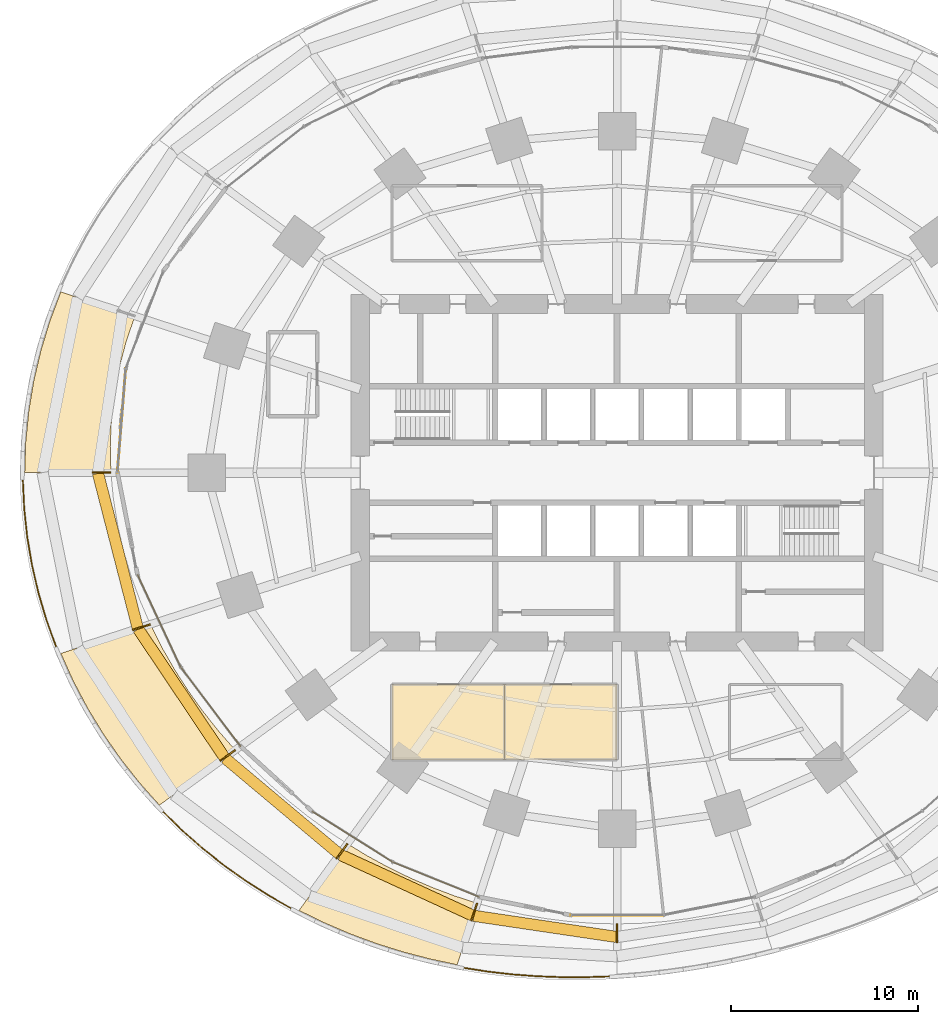
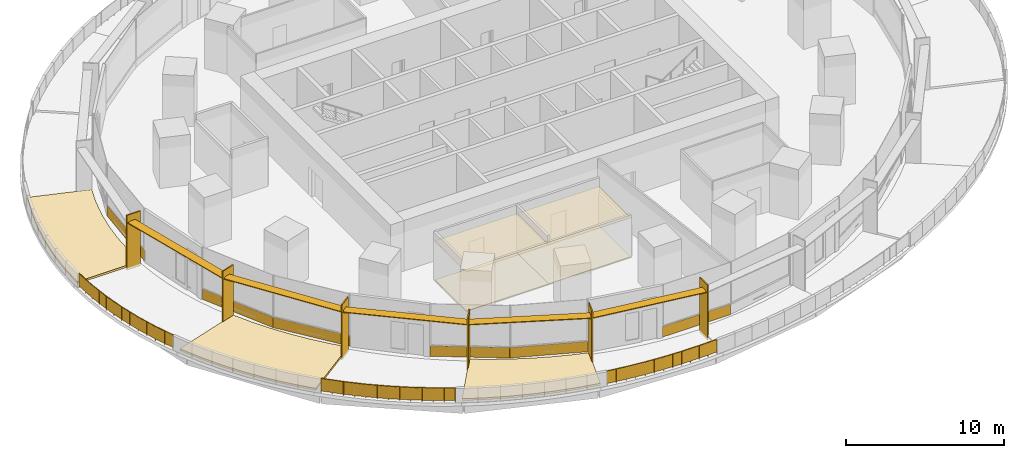
# One storey, part 17 of 20: 13 coverings, 11 shading devices, 3 railings.
"""IFC4 building model written with IfcOpenShell, lengths in metres."""

from ifc_helpers import new_model, si_unit, direction, frame, origin, origin_2d, place, context, subcontext, project, spatial, polyline, rectangle, circle, outline, extrude, material, layer, layer_set, type_object, element, save


model = new_model("IFC4")

# Units and contexts
model_context = context("Model", 3, precision=1e-05, world=origin(), true_north=direction((0.0, 1.0)))
body_context = subcontext(model_context, "Body", "Model", "MODEL_VIEW")
ifc_project = project(units=[si_unit("LENGTHUNIT", "METRE"), si_unit("AREAUNIT", "SQUARE_METRE"), si_unit("VOLUMEUNIT", "CUBIC_METRE"), si_unit("PLANEANGLEUNIT", "RADIAN"), si_unit("MASSUNIT", "GRAM", prefix="KILO")], contexts=[model_context])

# Site, building, storey
site_placement = place(None, origin())
site = spatial("IfcSite", under=ifc_project, at=site_placement, CompositionType="ELEMENT")
building_placement = place(site_placement, origin())
building = spatial("IfcBuilding", under=site, at=building_placement, Name="Marramba Exchange Tower", CompositionType="ELEMENT")
storey_placement = place(building_placement, frame((0.0, 0.0, 19.60009765625)))
storey = spatial("IfcBuildingStorey", under=building, at=storey_placement, Name="L04", CompositionType="ELEMENT", Elevation=19.60009765625)

# Shading devices
ifc_material_1 = material(Name="Aluminium blade, timber-look bronze finish", Category="wood")
ifc_layer_1 = layer(ifc_material_1, 0.080078125)
ifc_layer_set_1 = layer_set([ifc_layer_1], Name="Floor-edge blade 1000x80")
shading_device_type_1 = type_object("IfcShadingDeviceType", Name="Floor-edge blade 1000x80", PredefinedType="USERDEFINED", material=ifc_layer_set_1)
for number, where, z_axis, x_axis, name in (
    (1, (-27.5, 0.0, -0.2001953125), (0.0, 0.0, 1.0), (-1.0, 0.0, 0.0), "Floor-edge blade FB1 L04 TC11"),
    (2, (-25.3740234375, -8.24462890625, -0.2001953125), (0.0, 0.0, 1.0), (-0.951056516295, -0.309016994375, 0.0), "Floor-edge blade FB1 L04 TC12"),
    (3, (-20.773193359375, -15.092529296875, -0.2001953125), (0.0, 0.0, 1.0), (-0.809016994375, -0.587785252292, 0.0), "Floor-edge blade FB1 L04 TC13"),
    (4, (-14.6787109375, -20.20361328125, -0.2001953125), (0.0, 0.0, 1.0), (-0.587785252292, -0.809016994375, 0.0), "Floor-edge blade FB1 L04 TC14"),
    (5, (-7.61767578125, -23.444580078125, -0.2001953125), (0.0, 0.0, 1.0), (-0.309016994375, -0.951056516295, 0.0), "Floor-edge blade FB1 L04 TC15"),
    (6, (0.0, -24.572021484375, -0.2001953125), (0.0, 0.0, 1.0), (0.0, -1.0, 0.0), "Floor-edge blade FB1 L04 TC16"),
):
    element("IfcShadingDevice", number, at=place(storey_placement, frame(where, z_axis=z_axis, x_axis=x_axis)), inside=storey, type_object=shading_device_type_1, Name=name, ObjectType="FIN", PredefinedType="USERDEFINED", context=body_context, shape_type="SweptSolid", body=[
        extrude(rectangle(XDim=1.0, YDim=0.080078125, at=origin_2d()), origin(), (0.0, 0.0, 1.0), 4.239990234375),
    ])

# Coverings
ifc_material_2 = material(Name="Extensive green roof: growing medium on drainage cell, filter fabric and root-barrier membrane")
ifc_layer_2 = layer(ifc_material_2, 0.14990234375)
ifc_layer_set_2 = layer_set([ifc_layer_2], Name="Planted roof build-up 150")
covering_type_1 = type_object("IfcCoveringType", Name="Planted roof build-up 150", PredefinedType="ROOFING", material=ifc_layer_set_2)
covering_1_placement = place(storey_placement, origin())
element("IfcCovering", 7, at=covering_1_placement, inside=storey, type_object=covering_type_1, Name="Planted roof build-up L04 bay 10", PredefinedType="ROOFING", context=body_context, shape_type="SweptSolid", body=[
    extrude(outline(polyline([(-25.717529296875, 8.356201171875), (-26.179443359375, 7.0146484375), (-26.5439453125, 5.64208984375), (-26.80859375, 4.24609375), (-26.97265625, 2.8349609375), (-27.035888671875, 1.4169921875), (-27.0, 0.0), (-31.60009765625, 0.0), (-31.545166015625, 1.6533203125), (-31.381103515625, 3.29833984375), (-31.109130859375, 4.92724609375), (-30.731689453125, 6.5322265625), (-30.251953125, 8.10595703125), (-29.673828125, 9.6416015625), (-29.673828125, 9.6416015625), (-25.717529296875, 8.356201171875)])), origin(), (0.0, 0.0, 1.0), 0.14990234375),
])
covering_2_placement = place(storey_placement, origin())
element("IfcCovering", 8, at=covering_2_placement, inside=storey, type_object=covering_type_1, Name="Planted roof build-up L04 bay 12", PredefinedType="ROOFING", context=body_context, shape_type="SweptSolid", body=[
    extrude(outline(polyline([(-24.8984375, -8.090087890625), (-24.280517578125, -9.320556640625), (-23.60107421875, -10.5078125), (-22.865234375, -11.650390625), (-22.078369140625, -12.7470703125), (-21.244873046875, -13.796630859375), (-20.36865234375, -14.798583984375), (-24.413330078125, -17.7373046875), (-24.413330078125, -17.7373046875), (-25.475830078125, -16.544189453125), (-26.4716796875, -15.283447265625), (-27.39501953125, -13.95849609375), (-28.240234375, -12.5732421875), (-29.00146484375, -11.132568359375), (-29.673828125, -9.6416015625), (-24.8984375, -8.090087890625)])), origin(), (0.0, 0.0, 1.0), 0.14990234375),
])
covering_3_placement = place(storey_placement, origin())
element("IfcCovering", 9, at=covering_3_placement, inside=storey, type_object=covering_type_1, Name="Planted roof build-up L04 bay 14", PredefinedType="ROOFING", context=body_context, shape_type="SweptSolid", body=[
    extrude(outline(polyline([(-14.385009765625, -19.799072265625), (-13.286865234375, -20.459716796875), (-12.164306640625, -21.069091796875), (-11.01904296875, -21.6259765625), (-9.8525390625, -22.129150390625), (-8.66650390625, -22.577392578125), (-7.463134765625, -22.968994140625), (-8.529541015625, -26.2509765625), (-9.960693359375, -25.94873046875), (-11.387451171875, -25.576416015625), (-12.8056640625, -25.132568359375), (-14.21142578125, -24.614990234375), (-15.60009765625, -24.02197265625), (-16.967041015625, -23.35302734375), (-14.385009765625, -19.799072265625)])), origin(), (0.0, 0.0, 1.0), 0.14990234375),
])
ifc_material_3 = material(Name="Steel raised access floor panels", Category="steel")
ifc_layer_3 = layer(ifc_material_3, 0.050048828125)
ifc_layer_set_3 = layer_set([ifc_layer_3], Name="Raised access floor 300")
covering_type_2 = type_object("IfcCoveringType", Name="Raised access floor 300", PredefinedType="FLOORING", material=ifc_layer_set_3)
covering_4_placement = place(storey_placement, frame((0.0, 0.0, 0.25)))
element("IfcCovering", 10, at=covering_4_placement, inside=storey, type_object=covering_type_2, Name="Raised access floor RAF1 L04 Meeting Room 1", PredefinedType="FLOORING", context=body_context, shape_type="SweptSolid", body=[
    extrude(outline(polyline([(-6.0, -15.300048828125), (-12.0, -15.300048828125), (-12.0, -11.300048828125), (-6.0, -11.300048828125), (-6.0, -15.300048828125)])), origin(), (0.0, 0.0, 1.0), 0.0498046875),
])
covering_5_placement = place(storey_placement, frame((0.0, 0.0, 0.25)))
element("IfcCovering", 11, at=covering_5_placement, inside=storey, type_object=covering_type_2, Name="Raised access floor RAF1 L04 Meeting Room 2", PredefinedType="FLOORING", context=body_context, shape_type="SweptSolid", body=[
    extrude(outline(polyline([(0.0, -15.300048828125), (-6.0, -15.300048828125), (-6.0, -11.300048828125), (0.0, -11.300048828125), (0.0, -15.300048828125)])), origin(), (0.0, 0.0, 1.0), 0.0498046875),
])

# Shading devices
ifc_material_4 = material(Name="Aluminium sunshade, bronze anodised", Category="aluminium")
ifc_layer_4 = layer(ifc_material_4, 0.06005859375)
ifc_layer_set_4 = layer_set([ifc_layer_4], Name="SUNSHADE blade 600x60")
shading_device_type_2 = type_object("IfcShadingDeviceType", Name="SUNSHADE blade 600x60", PredefinedType="USERDEFINED", material=ifc_layer_set_4)
shading_device_1_placement = place(storey_placement, frame((-26.632080078125, -4.153076171875, 3.4599609375), z_axis=(0.0, 0.0, 1.0), x_axis=(0.249024641331, -0.968497149201, 0.0)))
element("IfcShadingDevice", 12, at=shading_device_1_placement, inside=storey, type_object=shading_device_type_2, Name="Sunshade SS1 L04 bay 11", ObjectType="SUNSHADE", PredefinedType="USERDEFINED", context=body_context, shape_type="SweptSolid", body=[
    extrude(rectangle(XDim=8.49658203125, YDim=0.60009765625, at=origin_2d()), origin(), (0.0, 0.0, 1.0), 0.06005859375),
])
shading_device_2_placement = place(storey_placement, frame((-23.24951171875, -11.75830078125, 3.4599609375), z_axis=(0.0, 0.0, 1.0), x_axis=(0.556924164761, -0.830563347798, 0.0)))
element("IfcShadingDevice", 13, at=shading_device_2_placement, inside=storey, type_object=shading_device_type_2, Name="Sunshade SS1 L04 bay 12", ObjectType="SUNSHADE", PredefinedType="USERDEFINED", context=body_context, shape_type="SweptSolid", body=[
    extrude(rectangle(XDim=8.232177734375, YDim=0.60009765625, at=origin_2d()), origin(), (0.0, 0.0, 1.0), 0.06005859375),
])
shading_device_3_placement = place(storey_placement, frame((-17.86572265625, -17.787841796875, 3.4599609375), z_axis=(0.0, 0.0, 1.0), x_axis=(0.765776068523, -0.643107310546, 0.0)))
element("IfcShadingDevice", 14, at=shading_device_3_placement, inside=storey, type_object=shading_device_type_2, Name="Sunshade SS1 L04 bay 13", ObjectType="SUNSHADE", PredefinedType="USERDEFINED", context=body_context, shape_type="SweptSolid", body=[
    extrude(rectangle(XDim=7.936279296875, YDim=0.60009765625, at=origin_2d()), origin(), (0.0, 0.0, 1.0), 0.06005859375),
])
shading_device_4_placement = place(storey_placement, frame((-11.23779296875, -22.0, 3.4599609375), z_axis=(0.0, 0.0, 1.0), x_axis=(0.908703542008, -0.417442059144, 0.0)))
element("IfcShadingDevice", 15, at=shading_device_4_placement, inside=storey, type_object=shading_device_type_2, Name="Sunshade SS1 L04 bay 14", ObjectType="SUNSHADE", PredefinedType="USERDEFINED", context=body_context, shape_type="SweptSolid", body=[
    extrude(rectangle(XDim=7.751953125, YDim=0.60009765625, at=origin_2d()), origin(), (0.0, 0.0, 1.0), 0.06005859375),
])
shading_device_5_placement = place(storey_placement, frame((-3.839599609375, -24.203369140625, 3.4599609375), z_axis=(0.0, 0.0, 1.0), x_axis=(0.989212895923, -0.146484970356, 0.0)))
element("IfcShadingDevice", 16, at=shading_device_5_placement, inside=storey, type_object=shading_device_type_2, Name="Sunshade SS1 L04 bay 15", ObjectType="SUNSHADE", PredefinedType="USERDEFINED", context=body_context, shape_type="SweptSolid", body=[
    extrude(rectangle(XDim=7.68310546875, YDim=0.60009765625, at=origin_2d()), origin(), (0.0, 0.0, 1.0), 0.06005859375),
])

# Coverings
ifc_material_5 = material(Name="Aluminium spandrel panel, bronze anodised, insulated", Category="aluminium")
ifc_layer_5 = layer(ifc_material_5, 0.050048828125)
ifc_layer_set_5 = layer_set([ifc_layer_5], Name="Spandrel panel 800")
covering_type_3 = type_object("IfcCoveringType", Name="Spandrel panel 800", PredefinedType="CLADDING", material=ifc_layer_set_5)
covering_6_placement = place(storey_placement, frame((-26.42578125, 2.78466796875, 0.0), z_axis=(0.0, 0.0, 1.0), x_axis=(-0.080275227657, -0.996772736297, 0.0)))
element("IfcCovering", 17, at=covering_6_placement, inside=storey, type_object=covering_type_3, Name="Spandrel panel SP1 L04 F15", PredefinedType="CLADDING", context=body_context, shape_type="SweptSolid", body=[
    extrude(rectangle(XDim=5.58740234375, YDim=0.050048828125, at=origin_2d()), origin(), (0.0, 0.0, 1.0), 0.800048828125),
])
covering_7_placement = place(storey_placement, frame((-24.432861328125, -7.90185546875, 0.0), z_axis=(0.0, 0.0, 1.0), x_axis=(0.423477213559, -0.905906755464, 0.0)))
element("IfcCovering", 18, at=covering_7_placement, inside=storey, type_object=covering_type_3, Name="Spandrel panel SP1 L04 F17", PredefinedType="CLADDING", context=body_context, shape_type="SweptSolid", body=[
    extrude(rectangle(XDim=5.439208984375, YDim=0.050048828125, at=origin_2d()), origin(), (0.0, 0.0, 1.0), 0.800048828125),
])
covering_8_placement = place(storey_placement, frame((-21.683349609375, -12.479248046875, 0.0), z_axis=(0.0, 0.0, 1.0), x_axis=(0.603040469481, -0.797710594243, 0.0)))
element("IfcCovering", 19, at=covering_8_placement, inside=storey, type_object=covering_type_3, Name="Spandrel panel SP1 L04 F18", PredefinedType="CLADDING", context=body_context, shape_type="SweptSolid", body=[
    extrude(rectangle(XDim=5.299560546875, YDim=0.050048828125, at=origin_2d()), origin(), (0.0, 0.0, 1.0), 0.800048828125),
])
covering_9_placement = place(storey_placement, frame((-14.128662109375, -19.416748046875, 0.0), z_axis=(0.0, 0.0, 1.0), x_axis=(0.845790829799, -0.533514641062, 0.0)))
element("IfcCovering", 20, at=covering_9_placement, inside=storey, type_object=covering_type_3, Name="Spandrel panel SP1 L04 F20", PredefinedType="CLADDING", context=body_context, shape_type="SweptSolid", body=[
    extrude(rectangle(XDim=5.05859375, YDim=0.050048828125, at=origin_2d()), origin(), (0.0, 0.0, 1.0), 0.800048828125),
])
covering_10_placement = place(storey_placement, frame((-9.672119140625, -21.701171875, 0.0), z_axis=(0.0, 0.0, 1.0), x_axis=(0.927340675001, -0.374218215069, 0.0)))
element("IfcCovering", 21, at=covering_10_placement, inside=storey, type_object=covering_type_3, Name="Spandrel panel SP1 L04 F21", PredefinedType="CLADDING", context=body_context, shape_type="SweptSolid", body=[
    extrude(rectangle(XDim=4.99755859375, YDim=0.050048828125, at=origin_2d()), origin(), (0.0, 0.0, 1.0), 0.800048828125),
])
covering_11_placement = place(storey_placement, frame((0.0, -23.599853515625, 0.0), z_axis=(0.0, 0.0, 1.0), x_axis=(1.0, 0.0, 0.0)))
element("IfcCovering", 22, at=covering_11_placement, inside=storey, type_object=covering_type_3, Name="Spandrel panel SP1 L04 F23", PredefinedType="CLADDING", context=body_context, shape_type="SweptSolid", body=[
    extrude(rectangle(XDim=4.9609375, YDim=0.050048828125, at=origin_2d()), origin(), (0.0, 0.0, 1.0), 0.800048828125),
])
ifc_material_6 = material(Name="Mineral fibre ceiling tiles", Category="gypsum")
ifc_layer_6 = layer(ifc_material_6, 0.02001953125)
ifc_layer_set_6 = layer_set([ifc_layer_6], Name="Suspended ceiling 20")
covering_type_4 = type_object("IfcCoveringType", Name="Suspended ceiling 20", PredefinedType="CEILING", material=ifc_layer_set_6)
covering_12_placement = place(storey_placement, frame((0.0, 0.0, 3.2998046875)))
element("IfcCovering", 23, at=covering_12_placement, inside=storey, type_object=covering_type_4, Name="Ceiling CL1 L04 Meeting Room 1", PredefinedType="CEILING", context=body_context, shape_type="SweptSolid", body=[
    extrude(outline(polyline([(-6.0, -15.300048828125), (-12.0, -15.300048828125), (-12.0, -11.300048828125), (-6.0, -11.300048828125), (-6.0, -15.300048828125)])), origin(), (0.0, 0.0, 1.0), 0.02001953125),
])
covering_13_placement = place(storey_placement, frame((0.0, 0.0, 3.2998046875)))
element("IfcCovering", 24, at=covering_13_placement, inside=storey, type_object=covering_type_4, Name="Ceiling CL1 L04 Meeting Room 2", PredefinedType="CEILING", context=body_context, shape_type="SweptSolid", body=[
    extrude(outline(polyline([(0.0, -15.300048828125), (-6.0, -15.300048828125), (-6.0, -11.300048828125), (0.0, -11.300048828125), (0.0, -15.300048828125)])), origin(), (0.0, 0.0, 1.0), 0.02001953125),
])

# Railings
ifc_material_7 = material(Name="Bronze anodised aluminium and laminated glass guard", Category="aluminium")
railing_type = type_object("IfcRailingType", Name="Terrace guard 1100", PredefinedType="GUARDRAIL", material=ifc_material_7)
railing_1_placement = place(storey_placement, frame((-31.69677734375, -0.398193359375, 0.0)))
element("IfcRailing", 25, at=railing_1_placement, inside=storey, type_object=railing_type, Name="Terrace guard GR1 L04 bay 11", PredefinedType="GUARDRAIL", context=body_context, shape_type="SweptSolid", body=[
    extrude(circle(Radius=0.02392578125, at=origin_2d()), frame((0.0, 0.0, 1.076171875), z_axis=(0.046401990354, -0.998922847517, 0.0), x_axis=(0.998922847517, 0.046401990354, 0.0)), (0.0, 0.0, 1.0), 1.52587890625),
    extrude(circle(Radius=0.02392578125, at=origin_2d()), frame((0.07080078125, -1.524169921875, 1.076171875), z_axis=(0.106951451694, -0.994264244042, 0.0), x_axis=(0.994264244042, 0.106951451694, 0.0)), (0.0, 0.0, 1.0), 1.52490234375),
    extrude(circle(Radius=0.02392578125, at=origin_2d()), frame((0.23388671875, -3.040283203125, 1.076171875), z_axis=(0.166997327203, -0.985957348321, 0.0), x_axis=(0.985957348321, 0.166997327203, 0.0)), (0.0, 0.0, 1.0), 1.5234375),
    extrude(circle(Radius=0.02392578125, at=origin_2d()), frame((0.48828125, -4.542236328125, 1.076171875), z_axis=(0.226148744125, -0.974092780761, 0.0), x_axis=(0.974092780761, 0.226148744125, 0.0)), (0.0, 0.0, 1.0), 1.52099609375),
    extrude(circle(Radius=0.02392578125, at=origin_2d()), frame((0.832275390625, -6.02392578125, 1.076171875), z_axis=(0.283820040604, -0.958877564943, 0.0), x_axis=(0.958877564943, 0.283820040604, 0.0)), (0.0, 0.0, 1.0), 1.518310546875),
    extrude(circle(Radius=0.02392578125, at=origin_2d()), frame((1.26318359375, -7.479736328125, 1.076171875), z_axis=(0.339969262806, -0.940436547752, 0.0), x_axis=(0.940436547752, 0.339969262806, 0.0)), (0.0, 0.0, 1.0), 1.5146484375),
    extrude(circle(Radius=0.02099609375, at=origin_2d()), origin(), (0.0, 0.0, 1.0), 1.052001953125),
    extrude(circle(Radius=0.02099609375, at=origin_2d()), frame((0.035400390625, -0.76220703125, 0.0)), (0.0, 0.0, 1.0), 1.052001953125),
    extrude(circle(Radius=0.02099609375, at=origin_2d()), frame((0.07080078125, -1.524169921875, 0.0)), (0.0, 0.0, 1.0), 1.052001953125),
    extrude(circle(Radius=0.02099609375, at=origin_2d()), frame((0.15234375, -2.2822265625, 0.0)), (0.0, 0.0, 1.0), 1.052001953125),
    extrude(circle(Radius=0.02099609375, at=origin_2d()), frame((0.23388671875, -3.040283203125, 0.0)), (0.0, 0.0, 1.0), 1.052001953125),
    extrude(circle(Radius=0.02099609375, at=origin_2d()), frame((0.361083984375, -3.791259765625, 0.0)), (0.0, 0.0, 1.0), 1.052001953125),
    extrude(circle(Radius=0.02099609375, at=origin_2d()), frame((0.48828125, -4.542236328125, 0.0)), (0.0, 0.0, 1.0), 1.052001953125),
    extrude(circle(Radius=0.02099609375, at=origin_2d()), frame((0.66015625, -5.283203125, 0.0)), (0.0, 0.0, 1.0), 1.052001953125),
    extrude(circle(Radius=0.02099609375, at=origin_2d()), frame((0.832275390625, -6.02392578125, 0.0)), (0.0, 0.0, 1.0), 1.052001953125),
    extrude(circle(Radius=0.02099609375, at=origin_2d()), frame((1.0478515625, -6.751953125, 0.0)), (0.0, 0.0, 1.0), 1.052001953125),
    extrude(circle(Radius=0.02099609375, at=origin_2d()), frame((1.26318359375, -7.479736328125, 0.0)), (0.0, 0.0, 1.0), 1.052001953125),
    extrude(circle(Radius=0.02099609375, at=origin_2d()), frame((1.5205078125, -8.19189453125, 0.0)), (0.0, 0.0, 1.0), 1.052001953125),
    extrude(circle(Radius=0.02099609375, at=origin_2d()), frame((1.778076171875, -8.904052734375, 0.0)), (0.0, 0.0, 1.0), 1.052001953125),
    extrude(rectangle(XDim=0.744873046875, YDim=0.02001953125, at=origin_2d()), frame((0.017578125, -0.381103515625, 0.10009765625), z_axis=(0.0, 0.0, 1.0), x_axis=(0.046401990354, -0.998922847517, 0.0)), (0.0, 0.0, 1.0), 0.951904296875),
    extrude(rectangle(XDim=0.744873046875, YDim=0.02001953125, at=origin_2d()), frame((0.05322265625, -1.14306640625, 0.10009765625), z_axis=(0.0, 0.0, 1.0), x_axis=(0.046401990354, -0.998922847517, 0.0)), (0.0, 0.0, 1.0), 0.951904296875),
    extrude(rectangle(XDim=0.744384765625, YDim=0.02001953125, at=origin_2d()), frame((0.111572265625, -1.9033203125, 0.10009765625), z_axis=(0.0, 0.0, 1.0), x_axis=(0.106951451694, -0.994264244042, 0.0)), (0.0, 0.0, 1.0), 0.951904296875),
    extrude(rectangle(XDim=0.744384765625, YDim=0.02001953125, at=origin_2d()), frame((0.193115234375, -2.6611328125, 0.10009765625), z_axis=(0.0, 0.0, 1.0), x_axis=(0.106951451694, -0.994264244042, 0.0)), (0.0, 0.0, 1.0), 0.951904296875),
    extrude(rectangle(XDim=0.74365234375, YDim=0.02001953125, at=origin_2d()), frame((0.29736328125, -3.415771484375, 0.10009765625), z_axis=(0.0, 0.0, 1.0), x_axis=(0.166997327203, -0.985957348321, 0.0)), (0.0, 0.0, 1.0), 0.951904296875),
    extrude(rectangle(XDim=0.74365234375, YDim=0.02001953125, at=origin_2d()), frame((0.4248046875, -4.166748046875, 0.10009765625), z_axis=(0.0, 0.0, 1.0), x_axis=(0.166997327203, -0.985957348321, 0.0)), (0.0, 0.0, 1.0), 0.951904296875),
    extrude(rectangle(XDim=0.74267578125, YDim=0.02001953125, at=origin_2d()), frame((0.57421875, -4.91259765625, 0.10009765625), z_axis=(0.0, 0.0, 1.0), x_axis=(0.226148744125, -0.974092780761, 0.0)), (0.0, 0.0, 1.0), 0.951904296875),
    extrude(rectangle(XDim=0.74267578125, YDim=0.02001953125, at=origin_2d()), frame((0.746337890625, -5.653564453125, 0.10009765625), z_axis=(0.0, 0.0, 1.0), x_axis=(0.226148744125, -0.974092780761, 0.0)), (0.0, 0.0, 1.0), 0.951904296875),
    extrude(rectangle(XDim=0.7412109375, YDim=0.02001953125, at=origin_2d()), frame((0.93994140625, -6.387939453125, 0.10009765625), z_axis=(0.0, 0.0, 1.0), x_axis=(0.283820040604, -0.958877564943, 0.0)), (0.0, 0.0, 1.0), 0.951904296875),
    extrude(rectangle(XDim=0.7412109375, YDim=0.02001953125, at=origin_2d()), frame((1.155517578125, -7.11572265625, 0.10009765625), z_axis=(0.0, 0.0, 1.0), x_axis=(0.283820040604, -0.958877564943, 0.0)), (0.0, 0.0, 1.0), 0.951904296875),
    extrude(rectangle(XDim=0.7392578125, YDim=0.02001953125, at=origin_2d()), frame((1.391845703125, -7.8359375, 0.10009765625), z_axis=(0.0, 0.0, 1.0), x_axis=(0.339969262806, -0.940436547752, 0.0)), (0.0, 0.0, 1.0), 0.951904296875),
    extrude(rectangle(XDim=0.7392578125, YDim=0.02001953125, at=origin_2d()), frame((1.6494140625, -8.5478515625, 0.10009765625), z_axis=(0.0, 0.0, 1.0), x_axis=(0.339969262806, -0.940436547752, 0.0)), (0.0, 0.0, 1.0), 0.951904296875),
])
railing_2_placement = place(storey_placement, frame((-24.216796875, -18.085693359375, 0.0)))
element("IfcRailing", 26, at=railing_2_placement, inside=storey, type_object=railing_type, Name="Terrace guard GR1 L04 bay 13", PredefinedType="GUARDRAIL", context=body_context, shape_type="SweptSolid", body=[
    extrude(circle(Radius=0.02392578125, at=origin_2d()), frame((0.0, 0.0, 1.076171875), z_axis=(0.71544639283, -0.698667631272, 0.0), x_axis=(0.698667631272, 0.71544639283, 0.0)), (0.0, 0.0, 1.0), 1.455078125),
    extrude(circle(Radius=0.02392578125, at=origin_2d()), frame((1.041015625, -1.0166015625, 1.076171875), z_axis=(0.750817313624, -0.660509925407, 0.0), x_axis=(0.660509925407, 0.750817313624, 0.0)), (0.0, 0.0, 1.0), 1.4462890625),
    extrude(circle(Radius=0.02392578125, at=origin_2d()), frame((2.126953125, -1.971923828125, 1.076171875), z_axis=(0.783825407561, -0.620981264179, 0.0), x_axis=(0.620981264179, 0.783825407561, 0.0)), (0.0, 0.0, 1.0), 1.437744140625),
    extrude(circle(Radius=0.02392578125, at=origin_2d()), frame((3.25390625, -2.86474609375, 1.076171875), z_axis=(0.814345031782, -0.58038105518, 0.0), x_axis=(0.58038105518, 0.814345031782, 0.0)), (0.0, 0.0, 1.0), 1.428466796875),
    extrude(circle(Radius=0.02392578125, at=origin_2d()), frame((4.417236328125, -3.69384765625, 1.076171875), z_axis=(0.842305767809, -0.538999993984, 0.0), x_axis=(0.538999993984, 0.842305767809, 0.0)), (0.0, 0.0, 1.0), 1.419189453125),
    extrude(circle(Radius=0.02392578125, at=origin_2d()), frame((5.612548828125, -4.458740234375, 1.076171875), z_axis=(0.867741646088, -0.497015528574, 0.0), x_axis=(0.497015528574, 0.867741646088, 0.0)), (0.0, 0.0, 1.0), 1.4091796875),
    extrude(circle(Radius=0.02099609375, at=origin_2d()), origin(), (0.0, 0.0, 1.0), 1.052001953125),
    extrude(circle(Radius=0.02099609375, at=origin_2d()), frame((0.5205078125, -0.50830078125, 0.0)), (0.0, 0.0, 1.0), 1.052001953125),
    extrude(circle(Radius=0.02099609375, at=origin_2d()), frame((1.041015625, -1.0166015625, 0.0)), (0.0, 0.0, 1.0), 1.052001953125),
    extrude(circle(Radius=0.02099609375, at=origin_2d()), frame((1.583984375, -1.494140625, 0.0)), (0.0, 0.0, 1.0), 1.052001953125),
    extrude(circle(Radius=0.02099609375, at=origin_2d()), frame((2.126953125, -1.971923828125, 0.0)), (0.0, 0.0, 1.0), 1.052001953125),
    extrude(circle(Radius=0.02099609375, at=origin_2d()), frame((2.6904296875, -2.41845703125, 0.0)), (0.0, 0.0, 1.0), 1.052001953125),
    extrude(circle(Radius=0.02099609375, at=origin_2d()), frame((3.25390625, -2.86474609375, 0.0)), (0.0, 0.0, 1.0), 1.052001953125),
    extrude(circle(Radius=0.02099609375, at=origin_2d()), frame((3.83544921875, -3.279296875, 0.0)), (0.0, 0.0, 1.0), 1.052001953125),
    extrude(circle(Radius=0.02099609375, at=origin_2d()), frame((4.417236328125, -3.69384765625, 0.0)), (0.0, 0.0, 1.0), 1.052001953125),
    extrude(circle(Radius=0.02099609375, at=origin_2d()), frame((5.014892578125, -4.076171875, 0.0)), (0.0, 0.0, 1.0), 1.052001953125),
    extrude(circle(Radius=0.02099609375, at=origin_2d()), frame((5.612548828125, -4.458740234375, 0.0)), (0.0, 0.0, 1.0), 1.052001953125),
    extrude(circle(Radius=0.02099609375, at=origin_2d()), frame((6.22412109375, -4.80908203125, 0.0)), (0.0, 0.0, 1.0), 1.052001953125),
    extrude(circle(Radius=0.02099609375, at=origin_2d()), frame((6.83544921875, -5.1591796875, 0.0)), (0.0, 0.0, 1.0), 1.052001953125),
    extrude(rectangle(XDim=0.70947265625, YDim=0.02001953125, at=origin_2d()), frame((0.26025390625, -0.254150390625, 0.10009765625), z_axis=(0.0, 0.0, 1.0), x_axis=(0.71544639283, -0.698667631272, 0.0)), (0.0, 0.0, 1.0), 0.951904296875),
    extrude(rectangle(XDim=0.70947265625, YDim=0.02001953125, at=origin_2d()), frame((0.78076171875, -0.762451171875, 0.10009765625), z_axis=(0.0, 0.0, 1.0), x_axis=(0.71544639283, -0.698667631272, 0.0)), (0.0, 0.0, 1.0), 0.951904296875),
    extrude(rectangle(XDim=0.705078125, YDim=0.02001953125, at=origin_2d()), frame((1.3125, -1.25537109375, 0.10009765625), z_axis=(0.0, 0.0, 1.0), x_axis=(0.750817313624, -0.660509925407, 0.0)), (0.0, 0.0, 1.0), 0.951904296875),
    extrude(rectangle(XDim=0.705078125, YDim=0.02001953125, at=origin_2d()), frame((1.85546875, -1.733154296875, 0.10009765625), z_axis=(0.0, 0.0, 1.0), x_axis=(0.750817313624, -0.660509925407, 0.0)), (0.0, 0.0, 1.0), 0.951904296875),
    extrude(rectangle(XDim=0.700927734375, YDim=0.02001953125, at=origin_2d()), frame((2.40869140625, -2.195068359375, 0.10009765625), z_axis=(0.0, 0.0, 1.0), x_axis=(0.783825407561, -0.620981264179, 0.0)), (0.0, 0.0, 1.0), 0.951904296875),
    extrude(rectangle(XDim=0.700927734375, YDim=0.02001953125, at=origin_2d()), frame((2.97216796875, -2.6416015625, 0.10009765625), z_axis=(0.0, 0.0, 1.0), x_axis=(0.783825407561, -0.620981264179, 0.0)), (0.0, 0.0, 1.0), 0.951904296875),
    extrude(rectangle(XDim=0.6962890625, YDim=0.02001953125, at=origin_2d()), frame((3.544677734375, -3.072021484375, 0.10009765625), z_axis=(0.0, 0.0, 1.0), x_axis=(0.814345031782, -0.58038105518, 0.0)), (0.0, 0.0, 1.0), 0.951904296875),
    extrude(rectangle(XDim=0.6962890625, YDim=0.02001953125, at=origin_2d()), frame((4.12646484375, -3.486572265625, 0.10009765625), z_axis=(0.0, 0.0, 1.0), x_axis=(0.814345031782, -0.58038105518, 0.0)), (0.0, 0.0, 1.0), 0.951904296875),
    extrude(rectangle(XDim=0.691650390625, YDim=0.02001953125, at=origin_2d()), frame((4.716064453125, -3.885009765625, 0.10009765625), z_axis=(0.0, 0.0, 1.0), x_axis=(0.842305767809, -0.538999993984, 0.0)), (0.0, 0.0, 1.0), 0.951904296875),
    extrude(rectangle(XDim=0.691650390625, YDim=0.02001953125, at=origin_2d()), frame((5.313720703125, -4.267578125, 0.10009765625), z_axis=(0.0, 0.0, 1.0), x_axis=(0.842305767809, -0.538999993984, 0.0)), (0.0, 0.0, 1.0), 0.951904296875),
    extrude(rectangle(XDim=0.686767578125, YDim=0.02001953125, at=origin_2d()), frame((5.918212890625, -4.6337890625, 0.10009765625), z_axis=(0.0, 0.0, 1.0), x_axis=(0.867741646088, -0.497015528574, 0.0)), (0.0, 0.0, 1.0), 0.951904296875),
    extrude(rectangle(XDim=0.686767578125, YDim=0.02001953125, at=origin_2d()), frame((6.52978515625, -4.984130859375, 0.10009765625), z_axis=(0.0, 0.0, 1.0), x_axis=(0.867741646088, -0.497015528574, 0.0)), (0.0, 0.0, 1.0), 0.951904296875),
])
railing_3_placement = place(storey_placement, frame((-8.166015625, -26.417724609375, 0.0)))
element("IfcRailing", 27, at=railing_3_placement, inside=storey, type_object=railing_type, Name="Terrace guard GR1 L04 bay 15", PredefinedType="GUARDRAIL", context=body_context, shape_type="SweptSolid", body=[
    extrude(circle(Radius=0.02392578125, at=origin_2d()), frame((0.0, 0.0, 1.076171875), z_axis=(0.98833530179, -0.152293569252, 0.0), x_axis=(0.152293569252, 0.98833530179, 0.0)), (0.0, 0.0, 1.0), 1.3193359375),
    extrude(circle(Radius=0.02392578125, at=origin_2d()), frame((1.303955078125, -0.200927734375, 1.076171875), z_axis=(0.993608104217, -0.112884610265, 0.0), x_axis=(0.112884610265, 0.993608104217, 0.0)), (0.0, 0.0, 1.0), 1.310546875),
    extrude(circle(Radius=0.02392578125, at=origin_2d()), frame((2.606201171875, -0.348876953125, 1.076171875), z_axis=(0.997213272289, -0.074603549318, 0.0), x_axis=(0.074603549318, 0.997213272289, 0.0)), (0.0, 0.0, 1.0), 1.302490234375),
    extrude(circle(Radius=0.02392578125, at=origin_2d()), frame((3.905029296875, -0.446044921875, 1.076171875), z_axis=(0.99929584946, -0.037520730951, 0.0), x_axis=(0.037520730951, 0.99929584946, 0.0)), (0.0, 0.0, 1.0), 1.294921875),
    extrude(circle(Radius=0.02392578125, at=origin_2d()), frame((5.198974609375, -0.49462890625, 1.076171875), z_axis=(0.999998849983, -0.001516585934, 0.0), x_axis=(0.001516585934, 0.999998849983, 0.0)), (0.0, 0.0, 1.0), 1.287841796875),
    extrude(circle(Radius=0.02392578125, at=origin_2d()), frame((6.48681640625, -0.49658203125, 1.076171875), z_axis=(0.999456892041, 0.032953314718, 0.0), x_axis=(-0.032953314718, 0.999456892041, 0.0)), (0.0, 0.0, 1.0), 1.28173828125),
    extrude(circle(Radius=0.02099609375, at=origin_2d()), origin(), (0.0, 0.0, 1.0), 1.052001953125),
    extrude(circle(Radius=0.02099609375, at=origin_2d()), frame((0.65185546875, -0.1005859375, 0.0)), (0.0, 0.0, 1.0), 1.052001953125),
    extrude(circle(Radius=0.02099609375, at=origin_2d()), frame((1.303955078125, -0.200927734375, 0.0)), (0.0, 0.0, 1.0), 1.052001953125),
    extrude(circle(Radius=0.02099609375, at=origin_2d()), frame((1.955078125, -0.27490234375, 0.0)), (0.0, 0.0, 1.0), 1.052001953125),
    extrude(circle(Radius=0.02099609375, at=origin_2d()), frame((2.606201171875, -0.348876953125, 0.0)), (0.0, 0.0, 1.0), 1.052001953125),
    extrude(circle(Radius=0.02099609375, at=origin_2d()), frame((3.255615234375, -0.3974609375, 0.0)), (0.0, 0.0, 1.0), 1.052001953125),
    extrude(circle(Radius=0.02099609375, at=origin_2d()), frame((3.905029296875, -0.446044921875, 0.0)), (0.0, 0.0, 1.0), 1.052001953125),
    extrude(circle(Radius=0.02099609375, at=origin_2d()), frame((4.552001953125, -0.47021484375, 0.0)), (0.0, 0.0, 1.0), 1.052001953125),
    extrude(circle(Radius=0.02099609375, at=origin_2d()), frame((5.198974609375, -0.49462890625, 0.0)), (0.0, 0.0, 1.0), 1.052001953125),
    extrude(circle(Radius=0.02099609375, at=origin_2d()), frame((5.8427734375, -0.49560546875, 0.0)), (0.0, 0.0, 1.0), 1.052001953125),
    extrude(circle(Radius=0.02099609375, at=origin_2d()), frame((6.48681640625, -0.49658203125, 0.0)), (0.0, 0.0, 1.0), 1.052001953125),
    extrude(circle(Radius=0.02099609375, at=origin_2d()), frame((7.12744140625, -0.4755859375, 0.0)), (0.0, 0.0, 1.0), 1.052001953125),
    extrude(circle(Radius=0.02099609375, at=origin_2d()), frame((7.767822265625, -0.454345703125, 0.0)), (0.0, 0.0, 1.0), 1.052001953125),
    extrude(rectangle(XDim=0.6416015625, YDim=0.02001953125, at=origin_2d()), frame((0.325927734375, -0.05029296875, 0.10009765625), z_axis=(0.0, 0.0, 1.0), x_axis=(0.98833530179, -0.152293569252, 0.0)), (0.0, 0.0, 1.0), 0.951904296875),
    extrude(rectangle(XDim=0.6416015625, YDim=0.02001953125, at=origin_2d()), frame((0.97802734375, -0.150634765625, 0.10009765625), z_axis=(0.0, 0.0, 1.0), x_axis=(0.98833530179, -0.152293569252, 0.0)), (0.0, 0.0, 1.0), 0.951904296875),
    extrude(rectangle(XDim=0.63720703125, YDim=0.02001953125, at=origin_2d()), frame((1.62939453125, -0.23779296875, 0.10009765625), z_axis=(0.0, 0.0, 1.0), x_axis=(0.993608104217, -0.112884610265, 0.0)), (0.0, 0.0, 1.0), 0.951904296875),
    extrude(rectangle(XDim=0.63720703125, YDim=0.02001953125, at=origin_2d()), frame((2.28076171875, -0.31201171875, 0.10009765625), z_axis=(0.0, 0.0, 1.0), x_axis=(0.993608104217, -0.112884610265, 0.0)), (0.0, 0.0, 1.0), 0.951904296875),
    extrude(rectangle(XDim=0.63330078125, YDim=0.02001953125, at=origin_2d()), frame((2.930908203125, -0.373046875, 0.10009765625), z_axis=(0.0, 0.0, 1.0), x_axis=(0.997213272289, -0.074603549318, 0.0)), (0.0, 0.0, 1.0), 0.951904296875),
    extrude(rectangle(XDim=0.63330078125, YDim=0.02001953125, at=origin_2d()), frame((3.580322265625, -0.421875, 0.10009765625), z_axis=(0.0, 0.0, 1.0), x_axis=(0.997213272289, -0.074603549318, 0.0)), (0.0, 0.0, 1.0), 0.951904296875),
    extrude(rectangle(XDim=0.62939453125, YDim=0.02001953125, at=origin_2d()), frame((4.228515625, -0.458251953125, 0.10009765625), z_axis=(0.0, 0.0, 1.0), x_axis=(0.99929584946, -0.037520730951, 0.0)), (0.0, 0.0, 1.0), 0.951904296875),
    extrude(rectangle(XDim=0.62939453125, YDim=0.02001953125, at=origin_2d()), frame((4.87548828125, -0.482421875, 0.10009765625), z_axis=(0.0, 0.0, 1.0), x_axis=(0.99929584946, -0.037520730951, 0.0)), (0.0, 0.0, 1.0), 0.951904296875),
    extrude(rectangle(XDim=0.6259765625, YDim=0.02001953125, at=origin_2d()), frame((5.52099609375, -0.4951171875, 0.10009765625), z_axis=(0.0, 0.0, 1.0), x_axis=(0.999998849983, -0.001516585934, 0.0)), (0.0, 0.0, 1.0), 0.951904296875),
    extrude(rectangle(XDim=0.6259765625, YDim=0.02001953125, at=origin_2d()), frame((6.164794921875, -0.49609375, 0.10009765625), z_axis=(0.0, 0.0, 1.0), x_axis=(0.999998849983, -0.001516585934, 0.0)), (0.0, 0.0, 1.0), 0.951904296875),
    extrude(rectangle(XDim=0.622802734375, YDim=0.02001953125, at=origin_2d()), frame((6.80712890625, -0.486083984375, 0.10009765625), z_axis=(0.0, 0.0, 1.0), x_axis=(0.999456892041, 0.032953314718, 0.0)), (0.0, 0.0, 1.0), 0.951904296875),
    extrude(rectangle(XDim=0.622802734375, YDim=0.02001953125, at=origin_2d()), frame((7.447509765625, -0.46484375, 0.10009765625), z_axis=(0.0, 0.0, 1.0), x_axis=(0.999456892041, 0.032953314718, 0.0)), (0.0, 0.0, 1.0), 0.951904296875),
])

save(model, "model.ifc")
